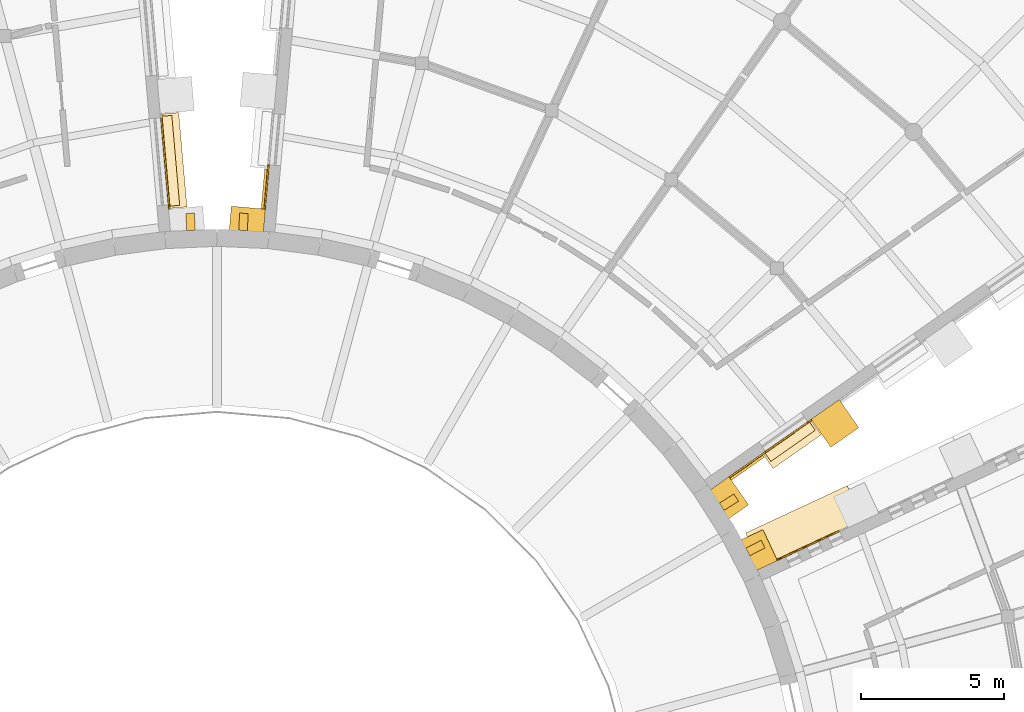
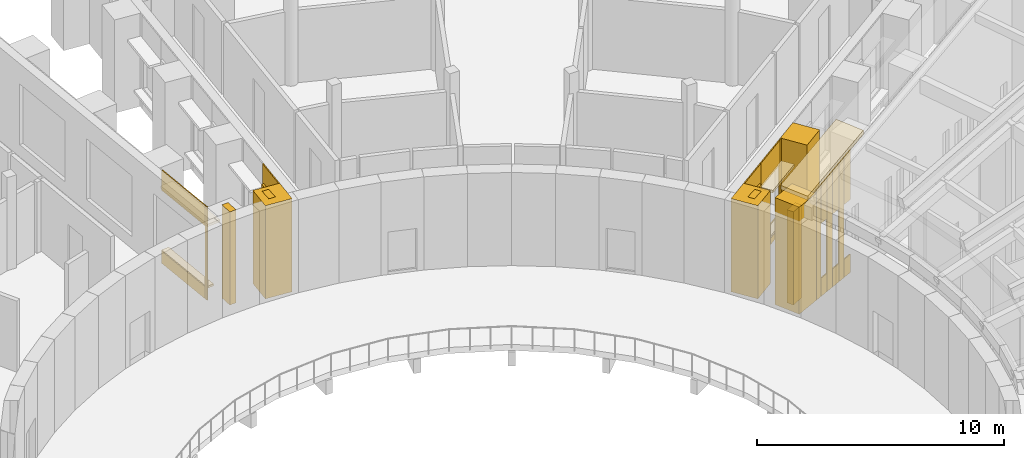
# One storey, part 41 of 50: 32 coverings.
"""IFC4 building model written with IfcOpenShell, lengths in metres."""

from ifc_helpers import new_model, si_unit, direction, frame, origin, origin_2d, place, context, subcontext, project, spatial, polyline, rectangle, outline, extrude, material, layer, layer_set, type_object, element, save


model = new_model("IFC4")

# Units and contexts
model_context = context("Model", 3, precision=1e-05, world=origin(), true_north=direction((0.0, 1.0)))
body_context = subcontext(model_context, "Body", "Model", "MODEL_VIEW")
ifc_project = project(units=[si_unit("LENGTHUNIT", "METRE"), si_unit("AREAUNIT", "SQUARE_METRE"), si_unit("VOLUMEUNIT", "CUBIC_METRE"), si_unit("PLANEANGLEUNIT", "RADIAN"), si_unit("MASSUNIT", "GRAM", prefix="KILO")], contexts=[model_context])

# Site, building, storey
site_placement = place(None, origin())
site = spatial("IfcSite", under=ifc_project, at=site_placement, CompositionType="ELEMENT")
building_placement = place(site_placement, origin())
building = spatial("IfcBuilding", under=site, at=building_placement, Name="Volute Hill Aquarium", CompositionType="ELEMENT")
storey_placement = place(building_placement, frame((0.0, 0.0, 9.199951171875)))
storey = spatial("IfcBuildingStorey", under=building, at=storey_placement, Name="L03", CompositionType="ELEMENT", Elevation=9.199951171875)

# Coverings
ifc_material_1 = material(Name="Precast pale concrete C40/50", Category="concrete")
covering_type_1 = type_object("IfcCoveringType", Name="Drum pier fin 300x600", PredefinedType="CLADDING", material=ifc_material_1)
for number, where, z_axis, x_axis, name in (
    (1, (18.8759765625, 9.826171875, 0.0), (0.0, 0.0, 1.0), (-0.461748613235, 0.887010833178, 0.0), "Drum pier fin DF 6 L03"),
    (2, (17.947509765625, 11.433837890625, 0.0), (0.0, 0.0, 1.0), (-0.537299608347, 0.843391445813, 0.0), "Drum pier fin DF 7 L03"),
    (3, (0.92822265625, 21.260009765625, 0.0), (0.0, 0.0, 1.0), (-0.999048221582, 0.043619387365, 0.0), "Drum pier fin DF 18 L03"),
    (4, (-0.92822265625, 21.260009765625, 0.0), (0.0, 0.0, 1.0), (-0.999048221582, -0.043619387365, 0.0), "Drum pier fin DF 19 L03"),
):
    element("IfcCovering", number, at=place(storey_placement, frame(where, z_axis=z_axis, x_axis=x_axis)), inside=storey, type_object=covering_type_1, Name=name, PredefinedType="CLADDING", context=body_context, shape_type="SweptSolid", body=[
        extrude(rectangle(XDim=0.300048828125, YDim=0.60009765625, at=origin_2d()), origin(), (0.0, 0.0, 1.0), 4.60009765625),
    ])
ifc_material_2 = material(Name="Aluminium", Category="aluminium")
ifc_layer_1 = layer(ifc_material_2, 0.10009765625)
ifc_layer_set_1 = layer_set([ifc_layer_1], Name="End wall plant louvre panel 100")
covering_type_2 = type_object("IfcCoveringType", Name="End wall plant louvre panel 100", PredefinedType="CLADDING", material=ifc_layer_set_1)
for number, where, z_axis, x_axis, name in (
    (5, (18.5830078125, 12.645751953125, 1.300048828125), (0.0, 0.0, 1.0), (0.819150254575, 0.573578992319, 0.0), "End wall plant louvre EWV S5A L03 1"),
    (6, (1.66015625, 22.416259765625, 1.300048828125), (0.0, 0.0, 1.0), (0.087153815516, 0.996194866701, 0.0), "End wall plant louvre EWV S5B L03 1"),
):
    element("IfcCovering", number, at=place(storey_placement, frame(where, z_axis=z_axis, x_axis=x_axis)), inside=storey, type_object=covering_type_2, Name=name, PredefinedType="CLADDING", context=body_context, shape_type="SweptSolid", body=[
        extrude(rectangle(XDim=1.4111328125, YDim=0.10009765625, at=origin_2d()), origin(), (0.0, 0.0, 1.0), 2.39990234375),
    ])
ifc_material_3 = material(Name="Precast concrete C40/50", Category="concrete")
covering_type_3 = type_object("IfcCoveringType", Name="End wall precast coping C40/50 1350x200", PredefinedType="CLADDING", material=ifc_material_3)
covering_1_placement = place(storey_placement, frame((19.10205078125, 9.1279296875, 5.28564453125), z_axis=(0.422647164218, -0.906294309029, 0.0), x_axis=(0.8777575908, 0.409339166015, 0.248963971209)))
element("IfcCovering", 7, at=covering_1_placement, inside=storey, type_object=covering_type_3, Name="End wall coping EWC S4B L03 1", PredefinedType="CLADDING", context=body_context, shape_type="SweptSolid", body=[
    extrude(outline(polyline([(0.0, 0.0), (4.053909241768407, 0.0), (4.103689879566225, 0.1936552587321818), (0.04978063779781792, 0.19365525873218178), (0.0, 0.0)])), origin(), (0.0, 0.0, -1.0), 1.35009765625),
])
ifc_material_4 = material(Name="Precast concrete C40/50", Category="concrete")
covering_type_4 = type_object("IfcCoveringType", Name="End wall precast fin C40/50 1200x1200", PredefinedType="CLADDING", material=ifc_material_4)
covering_2_placement = place(storey_placement, frame((18.848388671875, 9.671875, 0.0), z_axis=(0.0, 0.0, 1.0), x_axis=(0.906306960471, 0.422620034311, 0.0)))
element("IfcCovering", 8, at=covering_2_placement, inside=storey, type_object=covering_type_4, Name="End wall fin EWF S4B L03 1", PredefinedType="CLADDING", context=body_context, shape_type="SweptSolid", body=[
    extrude(rectangle(XDim=1.199951171875, YDim=1.199951171875, at=origin_2d()), origin(), (0.0, 0.0, 1.0), 5.285400390625),
])
for number, where, z_axis, x_axis, name in (
    (9, (17.80029296875, 11.4873046875, 0.0), (0.0, 0.0, 1.0), (0.819150254575, 0.573578992319, 0.0), "End wall fin EWF S5A L03 1"),
    (10, (21.663330078125, 14.192138671875, 0.0), (0.0, 0.0, 1.0), (0.819150254575, 0.573578992319, 0.0), "End wall fin EWF S5A L03 2"),
    (11, (1.048095703125, 21.1591796875, 0.0), (0.0, 0.0, 1.0), (0.087153815516, 0.996194866701, 0.0), "End wall fin EWF S5B L03 1"),
):
    element("IfcCovering", number, at=place(storey_placement, frame(where, z_axis=z_axis, x_axis=x_axis)), inside=storey, type_object=covering_type_4, Name=name, PredefinedType="CLADDING", context=body_context, shape_type="SweptSolid", body=[
        extrude(rectangle(XDim=1.199951171875, YDim=1.199951171875, at=origin_2d()), origin(), (0.0, 0.0, 1.0), 4.60009765625),
    ])
ifc_material_5 = material(Name="Precast concrete C40/50", Category="concrete")
ifc_layer_2 = layer(ifc_material_5, 0.050048828125)
ifc_layer_set_2 = layer_set([ifc_layer_2], Name="End wall precast infill panel C40/50 50")
covering_type_5 = type_object("IfcCoveringType", Name="End wall precast infill panel C40/50 50", PredefinedType="CLADDING", material=ifc_layer_set_2)
covering_3_placement = place(storey_placement, frame((19.645751953125, 9.381591796875, 0.0), z_axis=(0.422342839971, -0.906436167375, 0.0), x_axis=(0.906436167375, 0.422342839971, 0.0)))
element("IfcCovering", 12, at=covering_3_placement, inside=storey, type_object=covering_type_5, Name="End wall panel EWP S4B L03 1", PredefinedType="CLADDING", context=body_context, shape_type="SweptSolid", body=[
    extrude(outline(polyline([(0.0, 0.0), (0.3202467129767202, 0.0), (0.3202467129767202, 5.522216796875), (0.0, 5.439697265625), (0.0, 0.0)])), origin(), (0.0, 0.0, -1.0), 0.050048828125),
])
covering_4_placement = place(storey_placement, frame((19.93603515625, 9.516845703125, 0.0), z_axis=(0.422736919649, -0.906252446488, 0.0), x_axis=(0.906252446488, 0.422736919649, 0.0)))
element("IfcCovering", 13, at=covering_4_placement, inside=storey, type_object=covering_type_5, Name="End wall panel EWP S4B L03 1", PredefinedType="CLADDING", context=body_context, shape_type="SweptSolid", body=[
    extrude(outline(polyline([(0.0, 0.0), (0.4498910268656508, 0.0), (0.4498910268656508, 0.900146484375), (0.0, 0.900146484375), (0.0, 0.0)])), origin(), (0.0, 0.0, -1.0), 0.050048828125),
])
covering_5_placement = place(storey_placement, frame((19.93603515625, 9.516845703125, 3.60009765625), z_axis=(0.422736919649, -0.906252446488, 0.0), x_axis=(0.906252446488, 0.422736919649, 0.0)))
element("IfcCovering", 14, at=covering_5_placement, inside=storey, type_object=covering_type_5, Name="End wall panel EWP S4B L03 1", PredefinedType="CLADDING", context=body_context, shape_type="SweptSolid", body=[
    extrude(outline(polyline([(0.0, 0.0), (0.4498910268656508, 0.0), (0.4498910268656508, 2.03759765625), (0.0, 1.922119140625), (0.0, 0.0)])), origin(), (0.0, 0.0, -1.0), 0.050048828125),
])
covering_6_placement = place(storey_placement, frame((20.34375, 9.70703125, 0.0), z_axis=(0.422885465331, -0.906183139995, 0.0), x_axis=(0.906183139995, 0.422885465331, 0.0)))
element("IfcCovering", 15, at=covering_6_placement, inside=storey, type_object=covering_type_5, Name="End wall panel EWP S4B L03 1", PredefinedType="CLADDING", context=body_context, shape_type="SweptSolid", body=[
    extrude(outline(polyline([(0.0, 0.0), (0.36775342468492755, 0.0), (0.36775342468492755, 5.732421875), (0.0, 5.6376953125), (0.0, 0.0)])), origin(), (0.0, 0.0, -1.0), 0.050048828125),
])
covering_7_placement = place(storey_placement, frame((20.677001953125, 9.862548828125, 0.0), z_axis=(0.422529111883, -0.90634935296, 0.0), x_axis=(0.90634935296, 0.422529111883, 0.0)))
element("IfcCovering", 16, at=covering_7_placement, inside=storey, type_object=covering_type_5, Name="End wall panel EWP S4B L03 1", PredefinedType="CLADDING", context=body_context, shape_type="SweptSolid", body=[
    extrude(outline(polyline([(0.0, 0.0), (0.4501122917366558, 0.0), (0.4501122917366558, 0.900146484375), (0.0, 0.900146484375), (0.0, 0.0)])), origin(), (0.0, 0.0, -1.0), 0.050048828125),
])
covering_8_placement = place(storey_placement, frame((20.677001953125, 9.862548828125, 3.60009765625), z_axis=(0.422529111883, -0.90634935296, 0.0), x_axis=(0.90634935296, 0.422529111883, 0.0)))
element("IfcCovering", 17, at=covering_8_placement, inside=storey, type_object=covering_type_5, Name="End wall panel EWP S4B L03 1", PredefinedType="CLADDING", context=body_context, shape_type="SweptSolid", body=[
    extrude(outline(polyline([(0.0, 0.0), (0.4501122917366558, 0.0), (0.4501122917366558, 2.248046875), (0.0, 2.13232421875), (0.0, 0.0)])), origin(), (0.0, 0.0, -1.0), 0.050048828125),
])
covering_9_placement = place(storey_placement, frame((21.0849609375, 10.052734375, 0.0), z_axis=(0.422885465331, -0.906183139995, 0.0), x_axis=(0.906183139995, 0.422885465331, 0.0)))
element("IfcCovering", 18, at=covering_9_placement, inside=storey, type_object=covering_type_5, Name="End wall panel EWP S4B L03 1", PredefinedType="CLADDING", context=body_context, shape_type="SweptSolid", body=[
    extrude(outline(polyline([(0.0, 0.0), (0.36775342468492755, 0.0), (0.36775342468492755, 5.942626953125001), (0.0, 5.848144531250001), (0.0, 0.0)])), origin(), (0.0, 0.0, -1.0), 0.050048828125),
])
covering_10_placement = place(storey_placement, frame((21.418212890625, 10.208251953125, 0.0), z_axis=(0.422529111883, -0.90634935296, 0.0), x_axis=(0.90634935296, 0.422529111883, 0.0)))
element("IfcCovering", 19, at=covering_10_placement, inside=storey, type_object=covering_type_5, Name="End wall panel EWP S4B L03 1", PredefinedType="CLADDING", context=body_context, shape_type="SweptSolid", body=[
    extrude(outline(polyline([(0.0, 0.0), (0.4501122917366558, 0.0), (0.4501122917366558, 0.900146484375), (0.0, 0.900146484375), (0.0, 0.0)])), origin(), (0.0, 0.0, -1.0), 0.050048828125),
])
covering_11_placement = place(storey_placement, frame((21.418212890625, 10.208251953125, 3.60009765625), z_axis=(0.422529111883, -0.90634935296, 0.0), x_axis=(0.90634935296, 0.422529111883, 0.0)))
element("IfcCovering", 20, at=covering_11_placement, inside=storey, type_object=covering_type_5, Name="End wall panel EWP S4B L03 1", PredefinedType="CLADDING", context=body_context, shape_type="SweptSolid", body=[
    extrude(outline(polyline([(0.0, 0.0), (0.4501122917366558, 0.0), (0.4501122917366558, 2.458251953125), (0.0, 2.342529296875), (0.0, 0.0)])), origin(), (0.0, 0.0, -1.0), 0.050048828125),
])
covering_12_placement = place(storey_placement, frame((17.976318359375, 12.281982421875, 0.0), z_axis=(0.573535800714, -0.819180496167, 0.0), x_axis=(0.819180496167, 0.573535800714, 0.0)))
element("IfcCovering", 21, at=covering_12_placement, inside=storey, type_object=covering_type_5, Name="End wall panel EWP S5A L03 1", PredefinedType="CLADDING", context=body_context, shape_type="SweptSolid", body=[
    extrude(outline(polyline([(0.0, 0.0), (1.5613808438560721, 0.0), (1.5613808438560721, 4.60009765625), (0.0, 4.60009765625), (0.0, 0.0)])), origin(), (0.0, 0.0, -1.0), 0.050048828125),
])
covering_13_placement = place(storey_placement, frame((19.25537109375, 13.177490234375, 0.0), z_axis=(0.57352607058, -0.819187308474, 0.0), x_axis=(0.819187308474, 0.57352607058, 0.0)))
element("IfcCovering", 22, at=covering_13_placement, inside=storey, type_object=covering_type_5, Name="End wall panel EWP S5A L03 1", PredefinedType="CLADDING", context=body_context, shape_type="SweptSolid", body=[
    extrude(outline(polyline([(0.0, 0.0), (1.79979013239439, 0.0), (1.79979013239439, 1.0), (0.0, 1.0), (0.0, 0.0)])), origin(), (0.0, 0.0, -1.0), 0.050048828125),
])
covering_14_placement = place(storey_placement, frame((19.25537109375, 13.177490234375, 3.400146484375), z_axis=(0.57352607058, -0.819187308474, 0.0), x_axis=(0.819187308474, 0.57352607058, 0.0)))
element("IfcCovering", 23, at=covering_14_placement, inside=storey, type_object=covering_type_5, Name="End wall panel EWP S5A L03 1", PredefinedType="CLADDING", context=body_context, shape_type="SweptSolid", body=[
    extrude(outline(polyline([(0.0, 0.0), (1.79979013239439, 0.0), (1.79979013239439, 1.199951171875), (0.0, 1.199951171875), (0.0, 0.0)])), origin(), (0.0, 0.0, -1.0), 0.050048828125),
])
covering_15_placement = place(storey_placement, frame((20.729736328125, 14.209716796875, 0.0), z_axis=(0.574203208334, -0.818712816279, 0.0), x_axis=(0.818712816279, 0.574203208334, 0.0)))
element("IfcCovering", 24, at=covering_15_placement, inside=storey, type_object=covering_type_5, Name="End wall panel EWP S5A L03 1", PredefinedType="CLADDING", context=body_context, shape_type="SweptSolid", body=[
    extrude(outline(polyline([(0.0, 0.0), (0.15476609362358457, 0.0), (0.15476609362358457, 4.60009765625), (0.0, 4.60009765625), (0.0, 0.0)])), origin(), (0.0, 0.0, -1.0), 0.050048828125),
])
covering_16_placement = place(storey_placement, frame((1.6982421875, 21.70458984375, 0.0), z_axis=(0.996198808325, -0.087108749802, 0.0), x_axis=(0.087108749802, 0.996198808325, 0.0)))
element("IfcCovering", 25, at=covering_16_placement, inside=storey, type_object=covering_type_5, Name="End wall panel EWP S5B L03 1", PredefinedType="CLADDING", context=body_context, shape_type="SweptSolid", body=[
    extrude(outline(polyline([(0.0, 0.0), (1.5611098590501145, 0.0), (1.5611098590501145, 4.60009765625), (0.0, 4.60009765625), (0.0, 0.0)])), origin(), (0.0, 0.0, -1.0), 0.050048828125),
])
covering_17_placement = place(storey_placement, frame((-1.6484375, 21.708984375, 0.0), z_axis=(0.99627106838, 0.086278376837, 0.0), x_axis=(-0.086278376837, 0.99627106838, 0.0)))
element("IfcCovering", 26, at=covering_17_placement, inside=storey, type_object=covering_type_5, Name="End wall panel EWP S6A L03 1", PredefinedType="CLADDING", context=body_context, shape_type="SweptSolid", body=[
    extrude(outline(polyline([(0.0, 0.0), (0.14997330269060552, 0.0), (0.14997330269060552, 4.60009765625), (0.0, 4.60009765625), (0.0, 0.0)])), origin(), (0.0, 0.0, -1.0), 0.050048828125),
])
covering_18_placement = place(storey_placement, frame((-1.661376953125, 21.8583984375, 0.0), z_axis=(0.99619198721, 0.087186722721, 0.0), x_axis=(-0.087186722721, 0.99619198721, 0.0)))
element("IfcCovering", 27, at=covering_18_placement, inside=storey, type_object=covering_type_5, Name="End wall panel EWP S6A L03 1", PredefinedType="CLADDING", context=body_context, shape_type="SweptSolid", body=[
    extrude(outline(polyline([(0.0, 0.0), (3.0634233678662803, 0.0), (3.0634233678662803, 0.60009765625), (0.0, 0.60009765625), (0.0, 0.0)])), origin(), (0.0, 0.0, -1.0), 0.050048828125),
])
covering_19_placement = place(storey_placement, frame((-1.661376953125, 21.8583984375, 3.60009765625), z_axis=(0.99619198721, 0.087186722721, 0.0), x_axis=(-0.087186722721, 0.99619198721, 0.0)))
element("IfcCovering", 28, at=covering_19_placement, inside=storey, type_object=covering_type_5, Name="End wall panel EWP S6A L03 1", PredefinedType="CLADDING", context=body_context, shape_type="SweptSolid", body=[
    extrude(outline(polyline([(0.0, 0.0), (3.0634233678662803, 0.0), (3.0634233678662803, 1.0), (0.0, 1.0), (0.0, 0.0)])), origin(), (0.0, 0.0, -1.0), 0.050048828125),
])
ifc_material_6 = material(Name="Precast concrete C40/50", Category="concrete")
ifc_layer_3 = layer(ifc_material_6, 0.1201171875)
ifc_layer_set_3 = layer_set([ifc_layer_3], Name="End wall window head blade precast C40/50 600x120")
covering_type_6 = type_object("IfcCoveringType", Name="End wall window head blade precast C40/50 600x120", PredefinedType="CLADDING", material=ifc_layer_set_3)
covering_20_placement = place(storey_placement, frame((20.16455078125, 13.447998046875, 3.39990234375), z_axis=(0.0, 0.0, 1.0), x_axis=(0.819150254575, 0.573578992319, 0.0)))
element("IfcCovering", 29, at=covering_20_placement, inside=storey, type_object=covering_type_6, Name="End wall window head blade EWB S5A L03 1.1", PredefinedType="CLADDING", context=body_context, shape_type="SweptSolid", body=[
    extrude(rectangle(XDim=2.06005859375, YDim=0.60009765625, at=origin_2d()), origin(), (0.0, 0.0, 1.0), 0.1201171875),
])
covering_21_placement = place(storey_placement, frame((-1.49609375, 23.410400390625, 3.60009765625), z_axis=(0.0, 0.0, 1.0), x_axis=(-0.08715511842, 0.996194752713, 0.0)))
element("IfcCovering", 30, at=covering_21_placement, inside=storey, type_object=covering_type_6, Name="End wall window head blade EWB S6A L03 1.1", PredefinedType="CLADDING", context=body_context, shape_type="SweptSolid", body=[
    extrude(rectangle(XDim=3.3232421875, YDim=0.60009765625, at=origin_2d()), origin(), (0.0, 0.0, 1.0), 0.1201171875),
])
ifc_material_7 = material(Name="Precast concrete C40/50", Category="concrete")
ifc_layer_4 = layer(ifc_material_7, 0.10009765625)
ifc_layer_set_4 = layer_set([ifc_layer_4], Name="End wall window sill precast C40/50 350x100")
covering_type_7 = type_object("IfcCoveringType", Name="End wall window sill precast C40/50 350x100", PredefinedType="CLADDING", material=ifc_layer_set_4)
covering_22_placement = place(storey_placement, frame((20.0927734375, 13.55029296875, 0.89990234375), z_axis=(0.0, 0.0, 1.0), x_axis=(0.819150254575, 0.573578992319, 0.0)))
element("IfcCovering", 31, at=covering_22_placement, inside=storey, type_object=covering_type_7, Name="End wall window sill EWS S5A L03 1.1", PredefinedType="CLADDING", context=body_context, shape_type="SweptSolid", body=[
    extrude(rectangle(XDim=1.89990234375, YDim=0.35009765625, at=origin_2d()), origin(), (0.0, 0.0, 1.0), 0.10009765625),
])
covering_23_placement = place(storey_placement, frame((-1.62060546875, 23.3994140625, 0.5), z_axis=(0.0, 0.0, 1.0), x_axis=(-0.08715511842, 0.996194752713, 0.0)))
element("IfcCovering", 32, at=covering_23_placement, inside=storey, type_object=covering_type_7, Name="End wall window sill EWS S6A L03 1.1", PredefinedType="CLADDING", context=body_context, shape_type="SweptSolid", body=[
    extrude(rectangle(XDim=3.163330078125, YDim=0.35009765625, at=origin_2d()), origin(), (0.0, 0.0, 1.0), 0.10009765625),
])

save(model, "model.ifc")
